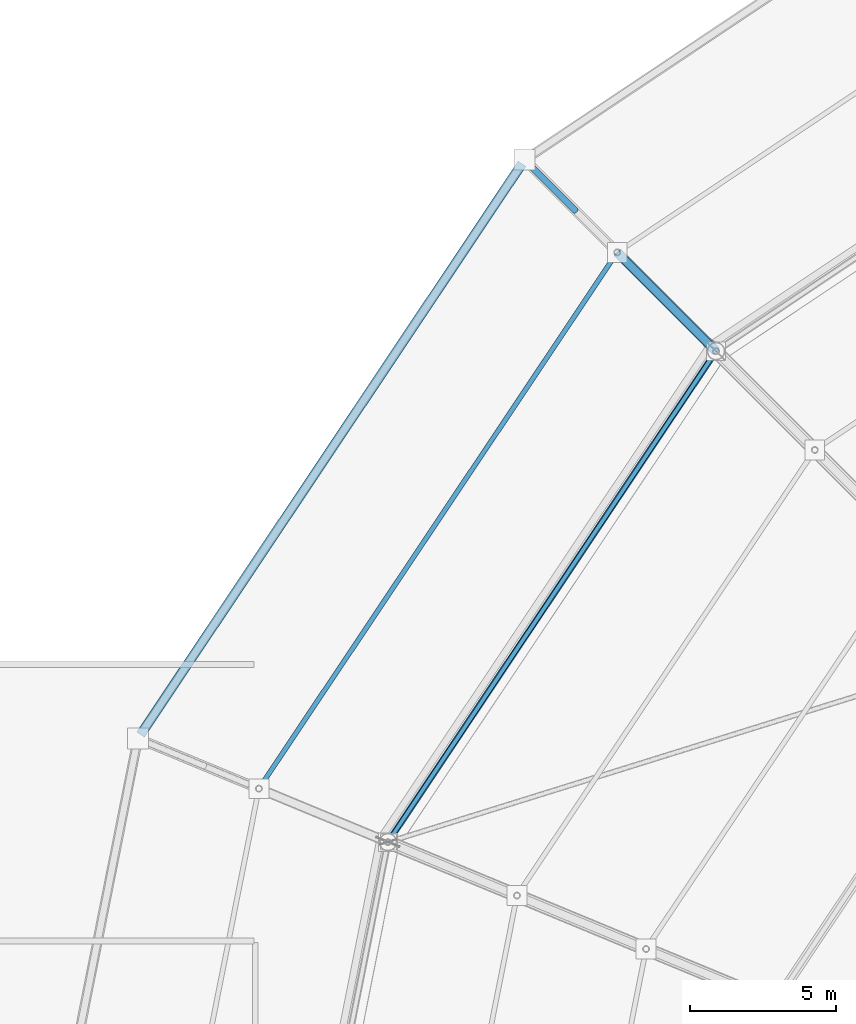
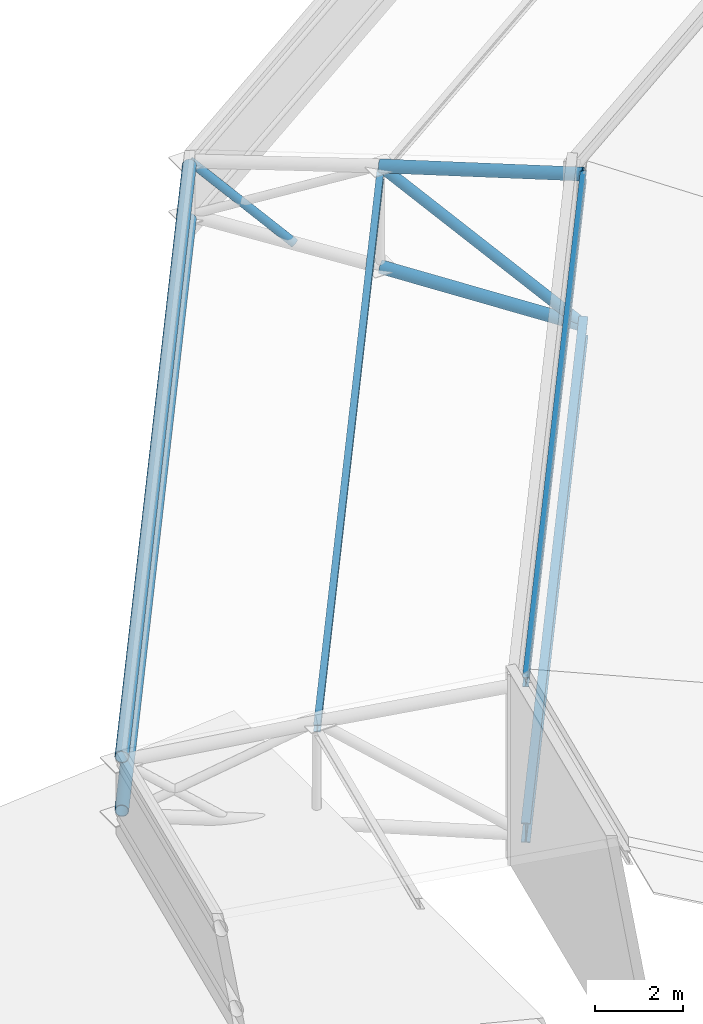
# One storey, part 45 of 146: 7 members, 2 beams.
"""IFC4 building model written with IfcOpenShell, lengths in metres."""

from ifc_helpers import new_model, si_unit, direction, frame, origin, origin_2d, place, context, subcontext, project, spatial, hollow_circle, i_section, extrude, material, material_profile, profile_set, type_object, element, save


model = new_model("IFC4")

# Units and contexts
model_context = context("Model", 3, precision=1e-05, world=origin(), true_north=direction((0.0, 1.0)))
body_context = subcontext(model_context, "Body", "Model", "MODEL_VIEW")
ifc_project = project(units=[si_unit("LENGTHUNIT", "METRE"), si_unit("AREAUNIT", "SQUARE_METRE"), si_unit("VOLUMEUNIT", "CUBIC_METRE"), si_unit("PLANEANGLEUNIT", "RADIAN"), si_unit("MASSUNIT", "GRAM", prefix="KILO")], contexts=[model_context])

# Site, building, storey
site_placement = place(None, origin())
site = spatial("IfcSite", under=ifc_project, at=site_placement, CompositionType="ELEMENT")
building_placement = place(site_placement, origin())
building = spatial("IfcBuilding", under=site, at=building_placement, Name="Candeia Ridge Stadium", CompositionType="ELEMENT")
storey_placement = place(building_placement, frame((0.0, 0.0, 31.800048828125)))
storey = spatial("IfcBuildingStorey", under=building, at=storey_placement, Name="RF", CompositionType="ELEMENT", Elevation=31.800048828125)

# Beams
ifc_material = material(Name="Steel ASTM A572 Grade 50", Category="steel")
ifc_material_profile_1 = material_profile(ifc_material, i_section(OverallWidth=0.14794921875, OverallDepth=0.26611328125, WebThickness=0.007568359375, FlangeThickness=0.012939453125, FilletRadius=0.010986328125, at=origin_2d()), Name="W250x44.8", Category="steel")
ifc_profile_set_1 = profile_set([ifc_material_profile_1], Name="Steel ASTM A572 Grade 50")
beam_type_1 = type_object("IfcBeamType", Name="Canopy Edge Spandrel W250x44.8", PredefinedType="SPANDREL", material=ifc_profile_set_1)
beam_1_placement = place(storey_placement, frame((34.208251953125, 131.736328125, 4.599853515625), z_axis=(-0.555572478713, -0.831468111774, 0.0), x_axis=(0.831468111774, -0.555572478713, 0.0)))
element("IfcBeam", 1, at=beam_1_placement, inside=storey, type_object=beam_type_1, Name="Roof crown cap ring beam bay 10", PredefinedType="SPANDREL", context=body_context, shape_type="SweptSolid", body=[
    extrude(i_section(OverallWidth=0.14794921875, OverallDepth=0.26611328125, WebThickness=0.007568359375, FlangeThickness=0.012939453125, FilletRadius=0.010986328125, at=origin_2d()), origin(), (0.0, 0.0, 1.0), 20.20947265625),
])
ifc_material_profile_2 = material_profile(ifc_material, i_section(OverallWidth=0.2119140625, OverallDepth=0.5439453125, WebThickness=0.01318359375, FlangeThickness=0.021240234375, FilletRadius=0.013916015625, at=origin_2d()), Name="W530x123", Category="steel")
ifc_profile_set_2 = profile_set([ifc_material_profile_2], Name="Steel ASTM A572 Grade 50")
beam_type_2 = type_object("IfcBeamType", Name="Roof Perimeter Ring Beam W530x123", PredefinedType="BEAM", material=ifc_profile_set_2)
beam_2_placement = place(storey_placement, frame((34.208251953125, 131.736328125, 0.39990234375), z_axis=(-0.555572478713, -0.831468111774, 0.0), x_axis=(0.831468111774, -0.555572478713, 0.0)))
element("IfcBeam", 2, at=beam_2_placement, inside=storey, type_object=beam_type_2, Name="Roof perimeter ring beam bay 10", PredefinedType="BEAM", context=body_context, shape_type="SweptSolid", body=[
    extrude(i_section(OverallWidth=0.2119140625, OverallDepth=0.5439453125, WebThickness=0.01318359375, FlangeThickness=0.021240234375, FilletRadius=0.013916015625, at=origin_2d()), origin(), (0.0, 0.0, 1.0), 20.20947265625),
])

# Members
ifc_material_profile_3 = material_profile(ifc_material, i_section(OverallWidth=0.1650390625, OverallDepth=0.200927734375, WebThickness=0.006103515625, FlangeThickness=0.01025390625, FilletRadius=0.010009765625, at=origin_2d()), Name="W200x35.9", Category="steel")
ifc_profile_set_3 = profile_set([ifc_material_profile_3], Name="Steel ASTM A572 Grade 50")
member_type_1 = type_object("IfcMemberType", Name="Roof Purlin W200x35.9", PredefinedType="PURLIN", material=ifc_profile_set_3)
member_1_placement = place(storey_placement, frame((30.80859375, 135.1220703125, 3.73828125), z_axis=(-0.555570704918, -0.83146929699, 0.0), x_axis=(0.83146929699, -0.555570704918, 0.0)))
element("IfcMember", 3, at=member_1_placement, inside=storey, type_object=member_type_1, Name="Saddle roof steel purlin bay 10-5", PredefinedType="PURLIN", context=body_context, shape_type="SweptSolid", body=[
    extrude(i_section(OverallWidth=0.1650390625, OverallDepth=0.200927734375, WebThickness=0.006103515625, FlangeThickness=0.01025390625, FilletRadius=0.010009765625, at=origin_2d()), origin(), (0.0, 0.0, 1.0), 22.062255859375),
])
ifc_material_profile_4 = material_profile(ifc_material, hollow_circle(Radius=0.161865234375, WallThickness=0.012451171875, at=origin_2d()), Name="CHS323x12", Category="steel")
ifc_profile_set_4 = profile_set([ifc_material_profile_4], Name="Steel ASTM A572 Grade 50")
member_type_2 = type_object("IfcMemberType", Name="Roof Truss Eaves Chord CHS323x12", PredefinedType="CHORD", material=ifc_profile_set_4)
member_2_placement = place(storey_placement, frame((34.23046875, 131.76953125, 4.599853515625), z_axis=(-0.700873044687, 0.700873044687, -0.132491322215), x_axis=(-0.707106781187, -0.707106781187, 0.0)))
element("IfcMember", 4, at=member_2_placement, inside=storey, type_object=member_type_2, Name="Roof cantilever truss RT-10 top chord 7", PredefinedType="CHORD", context=body_context, shape_type="SweptSolid", body=[
    extrude(hollow_circle(Radius=0.161865234375, WallThickness=0.012451171875, at=origin_2d()), origin(), (0.0, 0.0, 1.0), 4.842529296875),
])
member_3_placement = place(storey_placement, frame((34.23046875, 131.76953125, 0.39990234375), z_axis=(-0.698586254364, 0.698586254364, 0.154772382639), x_axis=(-0.707106781187, -0.707106781187, 0.0)))
element("IfcMember", 5, at=member_3_placement, inside=storey, type_object=member_type_2, Name="Roof cantilever truss RT-10 bottom chord 7", PredefinedType="CHORD", context=body_context, shape_type="SweptSolid", body=[
    extrude(hollow_circle(Radius=0.161865234375, WallThickness=0.012451171875, at=origin_2d()), origin(), (0.0, 0.0, 1.0), 4.8583984375),
])
for number, where, z_axis, x_axis, name in (
    (6, (27.5654296875, 138.212646484375, 3.281005859375), (-0.555568940049, -0.831470476236, 0.0), (0.831470476236, -0.555568940049, 0.0), "Saddle roof outer eaves top ring chord bay 10"),
    (7, (27.5654296875, 138.212646484375, 1.781005859375), (-0.555568940049, -0.831470476236, 0.0), (0.831470476236, -0.555568940049, 0.0), "Saddle roof outer eaves bottom ring chord bay 10"),
):
    element("IfcMember", number, at=place(storey_placement, frame(where, z_axis=z_axis, x_axis=x_axis)), inside=storey, type_object=member_type_2, Name=name, PredefinedType="CHORD", context=body_context, shape_type="SweptSolid", body=[
        extrude(hollow_circle(Radius=0.161865234375, WallThickness=0.012451171875, at=origin_2d()), origin(), (0.0, 0.0, 1.0), 23.59814453125),
    ])
ifc_material_profile_5 = material_profile(ifc_material, hollow_circle(Radius=0.136474609375, WallThickness=0.010009765625, at=origin_2d()), Name="CHS273x10", Category="steel")
ifc_profile_set_5 = profile_set([ifc_material_profile_5], Name="Steel ASTM A572 Grade 50")
member_type_3 = type_object("IfcMemberType", Name="Roof Truss Heavy Web Brace CHS273x10", PredefinedType="BRACE", material=ifc_profile_set_5)
member_4_placement = place(storey_placement, frame((34.23046875, 131.76953125, 0.39990234375), z_axis=(-0.56803841845, 0.56803841845, 0.595537329082), x_axis=(-0.707106781187, -0.707106781187, 0.0)))
element("IfcMember", 8, at=member_4_placement, inside=storey, type_object=member_type_3, Name="Roof cantilever truss RT-10 diagonal web 7", PredefinedType="BRACE", context=body_context, shape_type="SweptSolid", body=[
    extrude(hollow_circle(Radius=0.136474609375, WallThickness=0.010009765625, at=origin_2d()), origin(), (0.0, 0.0, 1.0), 5.97509765625),
])
ifc_material_profile_6 = material_profile(ifc_material, hollow_circle(Radius=0.109619140625, WallThickness=0.010009765625, at=origin_2d()), Name="CHS219x10", Category="steel")
ifc_profile_set_6 = profile_set([ifc_material_profile_6], Name="Steel ASTM A572 Grade 50")
member_type_4 = type_object("IfcMemberType", Name="Roof Truss Inner Web Brace CHS219x10", PredefinedType="BRACE", material=ifc_profile_set_6)
member_5_placement = place(storey_placement, frame((29.404296875, 136.595703125, 1.43505859375), z_axis=(-0.566805631246, 0.566805631246, 0.597881888651), x_axis=(-0.707106781187, -0.707106781187, 0.0)))
element("IfcMember", 9, at=member_5_placement, inside=storey, type_object=member_type_4, Name="Roof cantilever truss RT-10 vertical post 8", PredefinedType="BRACE", context=body_context, shape_type="SweptSolid", body=[
    extrude(hollow_circle(Radius=0.109619140625, WallThickness=0.010009765625, at=origin_2d()), origin(), (0.0, 0.0, 1.0), 3.08740234375),
])

save(model, "model.ifc")
